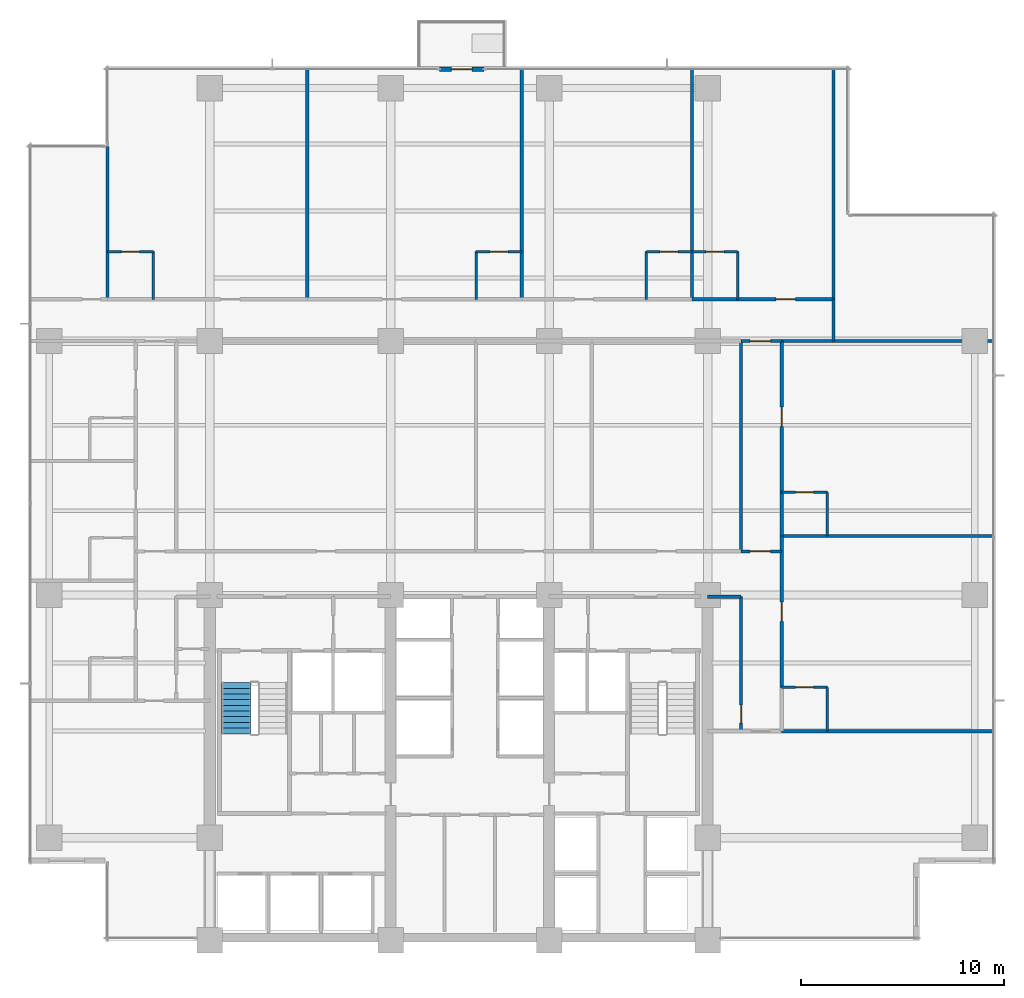
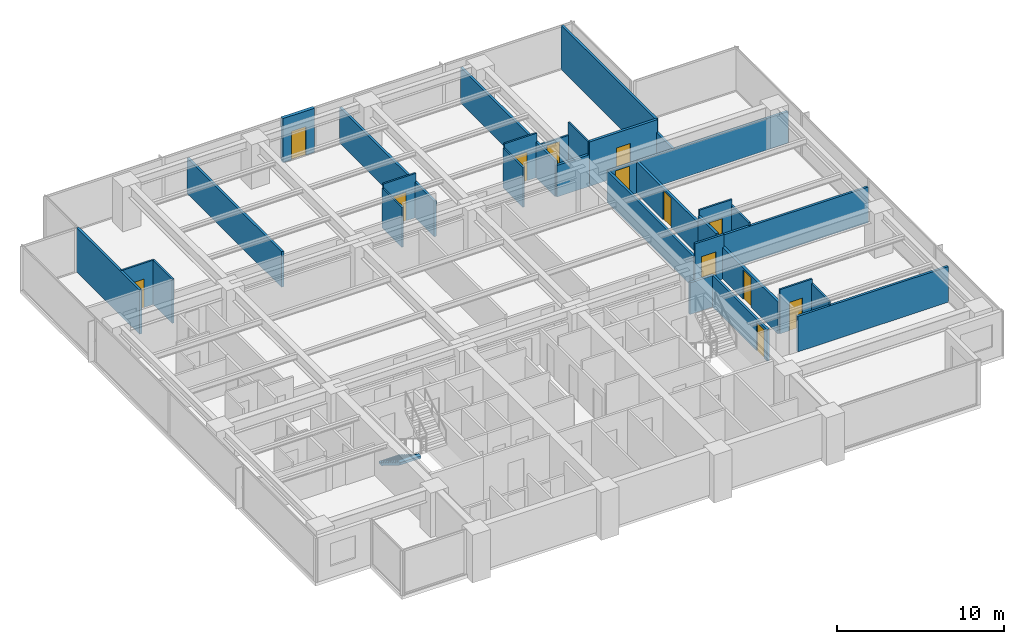
# One storey, part 11 of 17: 32 walls, 13 doors, 1 stair flight, 13 openings, 1 element without a shape of its own.
"""IFC4 building model written with IfcOpenShell, lengths in metres."""

import ifcopenshell
import ifcopenshell.guid

model = None  # the IFC model being written
_history = None  # IfcOwnerHistory: only IFC2X3 demands one
_inside = {}  # id of a spatial element -> (the spatial element, [elements in it])
_under = {}  # id of a project, library or spatial element -> (it, [spatial elements below it])
_declared = {}  # id of a project -> (the project, [libraries it declares])
_typed = {}  # id of a type object -> (the type object, [elements of that type])
_made_of = {}  # id of a material, layer set ... -> (it, [elements and type objects made of it])


def new_model(schema):
    """Start an empty IFC model of exactly this schema.

    Asked for "IFC4X3", IfcOpenShell would pick the latest addendum, in which some entities
    have other attributes; the version numbers below select the first issue.
    IFC2X3 requires an IfcOwnerHistory on every rooted entity: one is made here for all.
    """
    global model, _history
    if schema == "IFC4X3":
        model = ifcopenshell.file(schema_version=(4, 3, 0, 0))
    else:
        model = ifcopenshell.file(schema=schema)
    _inside.clear()
    _under.clear()
    _declared.clear()
    _typed.clear()
    _made_of.clear()
    _history = None
    if model.schema == "IFC2X3":
        org = make("IfcOrganization", Name="unknown")
        user = make(
            "IfcPersonAndOrganization",
            ThePerson=make("IfcPerson", FamilyName="unknown"),
            TheOrganization=org,
        )
        app = make(
            "IfcApplication",
            ApplicationDeveloper=org,
            Version="unknown",
            ApplicationFullName="unknown",
            ApplicationIdentifier="unknown",
        )
        _history = make(
            "IfcOwnerHistory",
            OwningUser=user,
            OwningApplication=app,
            ChangeAction="ADDED",
            CreationDate=0,
        )
    return model


def make(cls, **values):
    """One entity of the class cls with the attributes given. An attribute that is None is left unset."""
    return model.create_entity(
        cls, **{name: value for name, value in values.items() if value is not None}
    )


def rooted(cls, **values):
    """An entity with a GlobalId (a new one), such as an element, a storey or a relation."""
    return make(cls, GlobalId=ifcopenshell.guid.new(), OwnerHistory=_history, **values)


def si_unit(unit_type, name, prefix=None):
    """IfcSIUnit, for example si_unit("LENGTHUNIT", "METRE", prefix="MILLI")."""
    return make("IfcSIUnit", UnitType=unit_type, Prefix=prefix, Name=name)


def assignment(units):
    """IfcUnitAssignment: the units of a project."""
    return None if units is None else make("IfcUnitAssignment", Units=units)


def point(xyz):
    """IfcCartesianPoint."""
    return None if xyz is None else make("IfcCartesianPoint", Coordinates=xyz)


def direction(xyz):
    """IfcDirection."""
    return None if xyz is None else make("IfcDirection", DirectionRatios=xyz)


def frame(location, z_axis=None, x_axis=None):
    """IfcAxis2Placement3D, a coordinate frame: its origin and axes. An axis left out is left unset."""
    return make(
        "IfcAxis2Placement3D",
        Location=point(location),
        Axis=direction(z_axis),
        RefDirection=direction(x_axis),
    )


def frame_2d(location, x_axis=None):
    """IfcAxis2Placement2D, a coordinate frame in the plane: its origin and x axis."""
    return make(
        "IfcAxis2Placement2D", Location=point(location), RefDirection=direction(x_axis)
    )


def origin():
    """The frame at (0, 0, 0) with its axes left unset."""
    return frame((0.0, 0.0, 0.0))


def place(relative_to, where):
    """IfcLocalPlacement: puts the frame where relative to a parent placement (None: the world)."""
    return make(
        "IfcLocalPlacement", PlacementRelTo=relative_to, RelativePlacement=where
    )


def context(
    kind, dimensions, precision=None, world=None, true_north=None, identifier=None
):
    """IfcGeometricRepresentationContext, for example the 3D "Model" context."""
    return make(
        "IfcGeometricRepresentationContext",
        ContextIdentifier=identifier,
        ContextType=kind,
        CoordinateSpaceDimension=dimensions,
        Precision=precision,
        WorldCoordinateSystem=world,
        TrueNorth=true_north,
    )


def subcontext(parent, identifier, kind, view, scale=None):
    """IfcGeometricRepresentationSubContext, for example "Body" below "Model"."""
    return make(
        "IfcGeometricRepresentationSubContext",
        ContextIdentifier=identifier,
        ContextType=kind,
        ParentContext=parent,
        TargetScale=scale,
        TargetView=view,
    )


def project(units=None, contexts=None):
    """IfcProject with its units and contexts."""
    return rooted(
        "IfcProject",
        Name="project",
        RepresentationContexts=contexts,
        UnitsInContext=assignment(units),
    )


def spatial(cls, under=None, at=None, **own):
    """A site, building, storey or space (cls), placed at a placement, below another one or the project."""
    s = rooted(cls, ObjectPlacement=at, **own)
    if under is not None:
        _under.setdefault(under.id(), (under, []))[1].append(s)
    return s


def polyline(points):
    """IfcPolyline through the points."""
    return make("IfcPolyline", Points=[point(p) for p in points])


def profile(cls, at=None, kind="AREA", **sizes):
    """A parametric profile (cls). Its sizes go by their IFC names, for example OverallWidth=200.0."""
    return make(cls, ProfileType=kind, Position=at, **sizes)


def rectangle(**sizes):
    """IfcRectangleProfileDef."""
    return profile("IfcRectangleProfileDef", **sizes)


def outline(outer, holes=None, kind="AREA"):
    """IfcArbitraryClosedProfileDef: a profile drawn as a closed curve; with holes, ...WithVoids."""
    if holes is None:
        return make("IfcArbitraryClosedProfileDef", ProfileType=kind, OuterCurve=outer)
    return make(
        "IfcArbitraryProfileDefWithVoids",
        ProfileType=kind,
        OuterCurve=outer,
        InnerCurves=holes,
    )


def extrude(swept, where, along, depth):
    """IfcExtrudedAreaSolid: the profile swept, set in the frame where, extruded along a direction by depth."""
    return make(
        "IfcExtrudedAreaSolid",
        SweptArea=swept,
        Position=where,
        ExtrudedDirection=direction(along),
        Depth=depth,
    )


def shape(context_of_items, identifier, shape_type, items):
    """IfcShapeRepresentation: the items that make up one representation, for example the "Body"."""
    return make(
        "IfcShapeRepresentation",
        ContextOfItems=context_of_items,
        RepresentationIdentifier=identifier,
        RepresentationType=shape_type,
        Items=items,
    )


def material(Name=None, Category=None):
    """IfcMaterial."""
    return make("IfcMaterial", Name=Name, Category=Category)


def layer(
    of_material, thickness, ventilated=None, Name=None, Category=None, Priority=None
):
    """IfcMaterialLayer: one layer of a wall or slab, of a material (None: an air gap)."""
    return make(
        "IfcMaterialLayer",
        Material=of_material,
        LayerThickness=thickness,
        IsVentilated=ventilated,
        Name=Name,
        Category=Category,
        Priority=Priority,
    )


def layer_set(layers, Name=None):
    """IfcMaterialLayerSet."""
    return make("IfcMaterialLayerSet", MaterialLayers=layers, LayerSetName=Name)


def made_of(thing, what):
    """Note that an element or type object is made of a material, layer set ...; save() writes the relation."""
    if what is not None:
        _made_of.setdefault(what.id(), (what, []))[1].append(thing)
    return thing


def type_object(cls, material=None, **own):
    """A type object (cls), such as IfcWallType, which elements share."""
    return made_of(rooted(cls, **own), material)


def element(
    cls,
    number,
    at=None,
    inside=None,
    cuts=None,
    type_object=None,
    material=None,
    context=None,
    identifier="Body",
    shape_type=None,
    held_by="IfcProductDefinitionShape",
    body=None,
    shapes=None,
    **own,
):
    """One element of the class cls, such as IfcWall. Its Tag is "e" and its number.

    at: its placement. inside: the storey or other place that contains it. cuts: it is an
    opening in that element (IfcRelVoidsElement). A single representation is given by context,
    identifier, shape_type and body (its items); several are given by shapes. held_by: the class
    of the entity that holds the representations. save() writes the other relations.
    """
    e = rooted(cls, Tag="e%d" % number, ObjectPlacement=at, **own)
    if body is not None:
        shapes = [shape(context, identifier, shape_type, body)]
    if shapes is not None:
        e.Representation = make(held_by, Representations=shapes)
    if inside is not None:
        _inside.setdefault(inside.id(), (inside, []))[1].append(e)
    if cuts is not None:
        rooted(
            "IfcRelVoidsElement", RelatingBuildingElement=cuts, RelatedOpeningElement=e
        )
    if type_object is not None:
        _typed.setdefault(type_object.id(), (type_object, []))[1].append(e)
    return made_of(e, material)


def fill(opening, filler):
    """IfcRelFillsElement: the door or window that sits in an opening."""
    return rooted(
        "IfcRelFillsElement",
        RelatingOpeningElement=opening,
        RelatedBuildingElement=filler,
    )


def aggregate(whole, parts):
    """IfcRelAggregates: a whole, such as a stair, and the parts it consists of."""
    return rooted("IfcRelAggregates", RelatingObject=whole, RelatedObjects=parts)


def save(model, path):
    """Write the relations noted so far, then the file.

    IfcRelAggregates (storeys below a building ...), IfcRelContainedInSpatialStructure (elements
    in a storey), IfcRelDefinesByType, IfcRelAssociatesMaterial and IfcRelDeclares: one each for
    every whole, place, type object, material and project.
    """
    for whole, parts in _under.values():
        aggregate(whole, parts)
    for where, things in _inside.values():
        rooted(
            "IfcRelContainedInSpatialStructure",
            RelatedElements=things,
            RelatingStructure=where,
        )
    for kind, things in _typed.values():
        rooted("IfcRelDefinesByType", RelatedObjects=things, RelatingType=kind)
    for what, things in _made_of.values():
        rooted("IfcRelAssociatesMaterial", RelatedObjects=things, RelatingMaterial=what)
    for by, libraries in _declared.values():
        rooted("IfcRelDeclares", RelatingContext=by, RelatedDefinitions=libraries)
    model.write(path)


model = new_model("IFC4")

# Units and contexts
model_context = context("Model", 3, precision=1e-05, world=origin(), true_north=direction((0.0, 1.0)))
body_context = subcontext(model_context, "Body", "Model", "MODEL_VIEW")
ifc_project = project(units=[si_unit("LENGTHUNIT", "METRE"), si_unit("AREAUNIT", "SQUARE_METRE"), si_unit("VOLUMEUNIT", "CUBIC_METRE"), si_unit("PLANEANGLEUNIT", "RADIAN"), si_unit("MASSUNIT", "GRAM", prefix="KILO")], contexts=[model_context])

# Site, building, storey
site_placement = place(None, origin())
site = spatial("IfcSite", under=ifc_project, at=site_placement, CompositionType="ELEMENT")
building_placement = place(site_placement, origin())
building = spatial("IfcBuilding", under=site, at=building_placement, Name="Qalmaran Belvedere Hotel", CompositionType="ELEMENT")
storey_placement = place(building_placement, frame((0.0, 0.0, 98.699951171875)))
storey = spatial("IfcBuildingStorey", under=building, at=storey_placement, Name="L24", CompositionType="ELEMENT", Elevation=98.699951171875)

# Wall, opening, door
ifc_material_1 = material(Name="Anodised Bronze Cladding")
ifc_layer_1 = layer(ifc_material_1, 0.22509765625, Name="Anodised Bronze Cladding")
ifc_layer_set_1 = layer_set([ifc_layer_1], Name="Anodised Bronze Cladding")
wall_type_1 = type_object("IfcWallType", Name="WL-BAL-PORT-225", PredefinedType="SOLIDWALL", material=ifc_layer_set_1)
wall_1_placement = place(storey_placement, frame((31.60009765625, 46.3798828125, 0.0), z_axis=(0.0, 0.0, 1.0), x_axis=(1.0, 0.0, 0.0)))
wall_1 = element("IfcWall", 1, at=wall_1_placement, inside=storey, type_object=wall_type_1, Name="L24 Tree Balcony Door Portal", PredefinedType="SOLIDWALL", context=body_context, shape_type="SweptSolid", body=[
    extrude(rectangle(XDim=2.199951171875, YDim=0.22509765625, at=frame_2d((1.10009765625, 0.0))), origin(), (0.0, 0.0, 1.0), 3.239990234375),
])
opening_1_placement = place(wall_1_placement, frame((0.590087890625, 0.0, 0.0)))
opening_1 = element("IfcOpeningElement", 2, at=opening_1_placement, cuts=wall_1, Name="Opening BL-102", PredefinedType="OPENING", context=body_context, shape_type="SweptSolid", body=[
    extrude(rectangle(XDim=1.02001953125, YDim=2.10009765625, at=frame_2d((0.510009765625, 1.050048828125))), frame((0.0, 0.12255859375, 0.0), z_axis=(0.0, -1.0, 0.0), x_axis=(1.0, 0.0, 0.0)), (0.0, 0.0, 1.0), 0.2451171875),
])
ifc_material_2 = material(Name="Anodised Bronze Aluminium", Category="aluminium")
door_type_1 = type_object("IfcDoorType", Name="DR-BAL-1020X2100", OperationType="NOTDEFINED", PredefinedType="DOOR", material=ifc_material_2)
door_1_placement = place(opening_1_placement, origin())
door_1 = element("IfcDoor", 3, at=door_1_placement, inside=storey, type_object=door_type_1, Name="L24 Planted Tree Balcony Door", OperationType="SINGLE_SWING_LEFT", OverallHeight=2.10009765625, OverallWidth=1.02001953125, PredefinedType="DOOR", context=body_context, shape_type="SweptSolid", body=[
    extrude(rectangle(XDim=1.02001953125, YDim=2.10009765625, at=frame_2d((0.510009765625, 1.050048828125))), frame((0.0, 0.02490234375, 0.0), z_axis=(0.0, -1.0, 0.0), x_axis=(1.0, 0.0, 0.0)), (0.0, 0.0, 1.0), 0.050048828125),
])
fill(opening_1, door_1)

ifc_material_3 = material(Name="Moisture-Resistant Gypsum")
ifc_layer_2 = layer(ifc_material_3, 0.1201171875, Name="Moisture-Resistant Gypsum")
ifc_layer_set_2 = layer_set([ifc_layer_2], Name="Moisture-Resistant Gypsum")
wall_type_2 = type_object("IfcWallType", Name="WL-INT-120-BATH", PredefinedType="PARTITIONING", material=ifc_layer_set_2)
wall_2_placement = place(storey_placement, frame((15.27001953125, 37.39990234375, 0.0), z_axis=(0.0, 0.0, 1.0), x_axis=(1.0, 0.0, 0.0)))
wall_2 = element("IfcWall", 4, at=wall_2_placement, inside=storey, type_object=wall_type_2, Name="L24 Partition WL-L24-NBN00", PredefinedType="PARTITIONING", context=body_context, shape_type="SweptSolid", body=[
    extrude(rectangle(XDim=2.25, YDim=0.1201171875, at=frame_2d((1.125, 0.0))), origin(), (0.0, 0.0, 1.0), 3.239990234375),
])
opening_2_placement = place(wall_2_placement, frame((1.56494140625, 0.0, 0.0), z_axis=(0.0, 0.0, 1.0), x_axis=(-1.0, 0.0, 0.0)))
opening_2 = element("IfcOpeningElement", 5, at=opening_2_placement, cuts=wall_2, Name="Opening D-BATH", PredefinedType="OPENING", context=body_context, shape_type="SweptSolid", body=[
    extrude(rectangle(XDim=0.8798828125, YDim=2.080078125, at=frame_2d((0.43994140625, 1.0400390625))), frame((0.0, 0.070068359375, 0.0), z_axis=(0.0, -1.0, 0.0), x_axis=(1.0, 0.0, 0.0)), (0.0, 0.0, 1.0), 0.14013671875),
])
ifc_material_4 = material(Name="Engineered Oak Veneer")
door_type_2 = type_object("IfcDoorType", Name="DR-INT-BATH-880X2080", OperationType="NOTDEFINED", PredefinedType="DOOR", material=ifc_material_4)
door_2_placement = place(opening_2_placement, origin())
door_2 = element("IfcDoor", 6, at=door_2_placement, inside=storey, type_object=door_type_2, Name="L24 Ensuite Bathroom Door N01", OperationType="SINGLE_SWING_RIGHT", OverallHeight=2.080078125, OverallWidth=0.8798828125, PredefinedType="DOOR", context=body_context, shape_type="SweptSolid", body=[
    extrude(rectangle(XDim=0.8798828125, YDim=2.080078125, at=frame_2d((0.43994140625, 1.0400390625))), frame((0.0, 0.02490234375, 0.0), z_axis=(0.0, -1.0, 0.0), x_axis=(1.0, 0.0, 0.0)), (0.0, 0.0, 1.0), 0.050048828125),
])
fill(opening_2, door_2)

# Wall
wall_3_placement = place(storey_placement, frame((17.52001953125, 35.050048828125, 0.0), z_axis=(0.0, 0.0, 1.0), x_axis=(0.0, 1.0, 0.0)))
element("IfcWall", 7, at=wall_3_placement, inside=storey, type_object=wall_type_2, Name="L24 Partition WL-L24-NBS00", PredefinedType="PARTITIONING", context=body_context, shape_type="SweptSolid", body=[
    extrude(rectangle(XDim=2.349853515625, YDim=0.1201171875, at=frame_2d((1.1748046875, 0.0))), origin(), (0.0, 0.0, 1.0), 3.239990234375),
])

# Wall, opening, door
wall_4_placement = place(storey_placement, frame((33.40966796875, 37.39990234375, 0.0), z_axis=(0.0, 0.0, 1.0), x_axis=(1.0, 0.0, 0.0)))
wall_4 = element("IfcWall", 8, at=wall_4_placement, inside=storey, type_object=wall_type_2, Name="L24 Partition WL-L24-NBN01", PredefinedType="PARTITIONING", context=body_context, shape_type="SweptSolid", body=[
    extrude(rectangle(XDim=2.25, YDim=0.1201171875, at=frame_2d((1.125, 0.0))), origin(), (0.0, 0.0, 1.0), 3.239990234375),
])
opening_3_placement = place(wall_4_placement, frame((1.56494140625, 0.0, 0.0), z_axis=(0.0, 0.0, 1.0), x_axis=(-1.0, 0.0, 0.0)))
opening_3 = element("IfcOpeningElement", 9, at=opening_3_placement, cuts=wall_4, Name="Opening D-BATH", PredefinedType="OPENING", context=body_context, shape_type="SweptSolid", body=[
    extrude(rectangle(XDim=0.8798828125, YDim=2.080078125, at=frame_2d((0.43994140625, 1.0400390625))), frame((0.0, 0.070068359375, 0.0), z_axis=(0.0, -1.0, 0.0), x_axis=(1.0, 0.0, 0.0)), (0.0, 0.0, 1.0), 0.14013671875),
])
door_3_placement = place(opening_3_placement, origin())
door_3 = element("IfcDoor", 10, at=door_3_placement, inside=storey, type_object=door_type_2, Name="L24 Ensuite Bathroom Door N02", OperationType="SINGLE_SWING_RIGHT", OverallHeight=2.080078125, OverallWidth=0.8798828125, PredefinedType="DOOR", context=body_context, shape_type="SweptSolid", body=[
    extrude(rectangle(XDim=0.8798828125, YDim=2.080078125, at=frame_2d((0.43994140625, 1.0400390625))), frame((0.0, 0.02490234375, 0.0), z_axis=(0.0, -1.0, 0.0), x_axis=(1.0, 0.0, 0.0)), (0.0, 0.0, 1.0), 0.050048828125),
])
fill(opening_3, door_3)

# Wall
wall_5_placement = place(storey_placement, frame((33.40966796875, 35.050048828125, 0.0), z_axis=(0.0, 0.0, 1.0), x_axis=(0.0, 1.0, 0.0)))
element("IfcWall", 11, at=wall_5_placement, inside=storey, type_object=wall_type_2, Name="L24 Partition WL-L24-NBS01", PredefinedType="PARTITIONING", context=body_context, shape_type="SweptSolid", body=[
    extrude(rectangle(XDim=2.349853515625, YDim=0.1201171875, at=frame_2d((1.1748046875, 0.0))), origin(), (0.0, 0.0, 1.0), 2.922119140625),
])

# Wall, opening, door
wall_6_placement = place(storey_placement, frame((41.783935546875, 37.39990234375, 0.0), z_axis=(0.0, 0.0, 1.0), x_axis=(1.0, 0.0, 0.0)))
wall_6 = element("IfcWall", 12, at=wall_6_placement, inside=storey, type_object=wall_type_2, Name="L24 Partition WL-L24-NBN02", PredefinedType="PARTITIONING", context=body_context, shape_type="SweptSolid", body=[
    extrude(rectangle(XDim=2.25, YDim=0.1201171875, at=frame_2d((1.125, 0.0))), origin(), (0.0, 0.0, 1.0), 3.239990234375),
])
opening_4_placement = place(wall_6_placement, frame((1.56494140625, 0.0, 0.0), z_axis=(0.0, 0.0, 1.0), x_axis=(-1.0, 0.0, 0.0)))
opening_4 = element("IfcOpeningElement", 13, at=opening_4_placement, cuts=wall_6, Name="Opening D-BATH", PredefinedType="OPENING", context=body_context, shape_type="SweptSolid", body=[
    extrude(rectangle(XDim=0.8798828125, YDim=2.080078125, at=frame_2d((0.43994140625, 1.0400390625))), frame((0.0, 0.070068359375, 0.0), z_axis=(0.0, -1.0, 0.0), x_axis=(1.0, 0.0, 0.0)), (0.0, 0.0, 1.0), 0.14013671875),
])
door_4_placement = place(opening_4_placement, origin())
door_4 = element("IfcDoor", 14, at=door_4_placement, inside=storey, type_object=door_type_2, Name="L24 Ensuite Bathroom Door N03", OperationType="SINGLE_SWING_RIGHT", OverallHeight=2.080078125, OverallWidth=0.8798828125, PredefinedType="DOOR", context=body_context, shape_type="SweptSolid", body=[
    extrude(rectangle(XDim=0.8798828125, YDim=2.080078125, at=frame_2d((0.43994140625, 1.0400390625))), frame((0.0, 0.02490234375, 0.0), z_axis=(0.0, -1.0, 0.0), x_axis=(1.0, 0.0, 0.0)), (0.0, 0.0, 1.0), 0.050048828125),
])
fill(opening_4, door_4)

# Wall
wall_7_placement = place(storey_placement, frame((41.783935546875, 35.050048828125, 0.0), z_axis=(0.0, 0.0, 1.0), x_axis=(0.0, 1.0, 0.0)))
element("IfcWall", 15, at=wall_7_placement, inside=storey, type_object=wall_type_2, Name="L24 Partition WL-L24-NBS02", PredefinedType="PARTITIONING", context=body_context, shape_type="SweptSolid", body=[
    extrude(rectangle(XDim=2.349853515625, YDim=0.1201171875, at=frame_2d((1.1748046875, 0.0))), origin(), (0.0, 0.0, 1.0), 2.922119140625),
])

# Wall, opening, door
wall_8_placement = place(storey_placement, frame((44.033935546875, 37.39990234375, 0.0), z_axis=(0.0, 0.0, 1.0), x_axis=(1.0, 0.0, 0.0)))
wall_8 = element("IfcWall", 16, at=wall_8_placement, inside=storey, type_object=wall_type_2, Name="L24 Partition WL-L24-NBN03", PredefinedType="PARTITIONING", context=body_context, shape_type="SweptSolid", body=[
    extrude(rectangle(XDim=2.25, YDim=0.1201171875, at=frame_2d((1.125, 0.0))), origin(), (0.0, 0.0, 1.0), 2.31298828125),
])
opening_5_placement = place(wall_8_placement, frame((1.56494140625, 0.0, 0.0), z_axis=(0.0, 0.0, 1.0), x_axis=(-1.0, 0.0, 0.0)))
opening_5 = element("IfcOpeningElement", 17, at=opening_5_placement, cuts=wall_8, Name="Opening D-BATH", PredefinedType="OPENING", context=body_context, shape_type="SweptSolid", body=[
    extrude(rectangle(XDim=0.8798828125, YDim=2.080078125, at=frame_2d((0.43994140625, 1.0400390625))), frame((0.0, 0.070068359375, 0.0), z_axis=(0.0, -1.0, 0.0), x_axis=(1.0, 0.0, 0.0)), (0.0, 0.0, 1.0), 0.14013671875),
])
door_5_placement = place(opening_5_placement, origin())
door_5 = element("IfcDoor", 18, at=door_5_placement, inside=storey, type_object=door_type_2, Name="L24 Ensuite Bathroom Door N04", OperationType="SINGLE_SWING_RIGHT", OverallHeight=2.080078125, OverallWidth=0.8798828125, PredefinedType="DOOR", context=body_context, shape_type="SweptSolid", body=[
    extrude(rectangle(XDim=0.8798828125, YDim=2.080078125, at=frame_2d((0.43994140625, 1.0400390625))), frame((0.0, 0.02490234375, 0.0), z_axis=(0.0, -1.0, 0.0), x_axis=(1.0, 0.0, 0.0)), (0.0, 0.0, 1.0), 0.050048828125),
])
fill(opening_5, door_5)

# Wall
wall_9_placement = place(storey_placement, frame((46.283935546875, 35.050048828125, 0.0), z_axis=(0.0, 0.0, 1.0), x_axis=(0.0, 1.0, 0.0)))
element("IfcWall", 19, at=wall_9_placement, inside=storey, type_object=wall_type_2, Name="L24 Partition WL-L24-NBS03", PredefinedType="PARTITIONING", context=body_context, shape_type="SweptSolid", body=[
    extrude(rectangle(XDim=2.349853515625, YDim=0.1201171875, at=frame_2d((1.1748046875, 0.0))), origin(), (0.0, 0.0, 1.0), 3.239990234375),
])

# Wall, opening, door
wall_10_placement = place(storey_placement, frame((48.449951171875, 15.949951171875, 0.0), z_axis=(0.0, 0.0, 1.0), x_axis=(1.0, 0.0, 0.0)))
wall_10 = element("IfcWall", 20, at=wall_10_placement, inside=storey, type_object=wall_type_2, Name="L24 Partition WL-L24-EBN00", PredefinedType="PARTITIONING", context=body_context, shape_type="SweptSolid", body=[
    extrude(rectangle(XDim=2.25, YDim=0.1201171875, at=frame_2d((1.125, 0.0))), origin(), (0.0, 0.0, 1.0), 3.239990234375),
])
opening_6_placement = place(wall_10_placement, frame((1.56494140625, 0.0, 0.0), z_axis=(0.0, 0.0, 1.0), x_axis=(-1.0, 0.0, 0.0)))
opening_6 = element("IfcOpeningElement", 21, at=opening_6_placement, cuts=wall_10, Name="Opening D-BATH", PredefinedType="OPENING", context=body_context, shape_type="SweptSolid", body=[
    extrude(rectangle(XDim=0.8798828125, YDim=2.080078125, at=frame_2d((0.43994140625, 1.0400390625))), frame((0.0, 0.070068359375, 0.0), z_axis=(0.0, -1.0, 0.0), x_axis=(1.0, 0.0, 0.0)), (0.0, 0.0, 1.0), 0.14013671875),
])
door_6_placement = place(opening_6_placement, origin())
door_6 = element("IfcDoor", 22, at=door_6_placement, inside=storey, type_object=door_type_2, Name="L24 E Ensuite Door 01", OperationType="SINGLE_SWING_RIGHT", OverallHeight=2.080078125, OverallWidth=0.8798828125, PredefinedType="DOOR", context=body_context, shape_type="SweptSolid", body=[
    extrude(rectangle(XDim=0.8798828125, YDim=2.080078125, at=frame_2d((0.43994140625, 1.0400390625))), frame((0.0, 0.02490234375, 0.0), z_axis=(0.0, -1.0, 0.0), x_axis=(1.0, 0.0, 0.0)), (0.0, 0.0, 1.0), 0.050048828125),
])
fill(opening_6, door_6)

# Wall
wall_11_placement = place(storey_placement, frame((50.699951171875, 13.800048828125, 0.0), z_axis=(0.0, 0.0, 1.0), x_axis=(0.0, 1.0, 0.0)))
element("IfcWall", 23, at=wall_11_placement, inside=storey, type_object=wall_type_2, Name="L24 Partition WL-L24-EBS00", PredefinedType="PARTITIONING", context=body_context, shape_type="SweptSolid", body=[
    extrude(rectangle(XDim=2.14990234375, YDim=0.1201171875, at=frame_2d((1.074951171875, 0.0))), origin(), (0.0, 0.0, 1.0), 2.922119140625),
])

# Wall, opening, door
wall_12_placement = place(storey_placement, frame((48.449951171875, 25.550048828125, 0.0), z_axis=(0.0, 0.0, 1.0), x_axis=(1.0, 0.0, 0.0)))
wall_12 = element("IfcWall", 24, at=wall_12_placement, inside=storey, type_object=wall_type_2, Name="L24 Partition WL-L24-EBN01", PredefinedType="PARTITIONING", context=body_context, shape_type="SweptSolid", body=[
    extrude(rectangle(XDim=2.25, YDim=0.1201171875, at=frame_2d((1.125, 0.0))), origin(), (0.0, 0.0, 1.0), 3.239990234375),
])
opening_7_placement = place(wall_12_placement, frame((1.56494140625, 0.0, 0.0), z_axis=(0.0, 0.0, 1.0), x_axis=(-1.0, 0.0, 0.0)))
opening_7 = element("IfcOpeningElement", 25, at=opening_7_placement, cuts=wall_12, Name="Opening D-BATH", PredefinedType="OPENING", context=body_context, shape_type="SweptSolid", body=[
    extrude(rectangle(XDim=0.8798828125, YDim=2.080078125, at=frame_2d((0.43994140625, 1.0400390625))), frame((0.0, 0.070068359375, 0.0), z_axis=(0.0, -1.0, 0.0), x_axis=(1.0, 0.0, 0.0)), (0.0, 0.0, 1.0), 0.14013671875),
])
door_7_placement = place(opening_7_placement, origin())
door_7 = element("IfcDoor", 26, at=door_7_placement, inside=storey, type_object=door_type_2, Name="L24 E Ensuite Door 02", OperationType="SINGLE_SWING_RIGHT", OverallHeight=2.080078125, OverallWidth=0.8798828125, PredefinedType="DOOR", context=body_context, shape_type="SweptSolid", body=[
    extrude(rectangle(XDim=0.8798828125, YDim=2.080078125, at=frame_2d((0.43994140625, 1.0400390625))), frame((0.0, 0.02490234375, 0.0), z_axis=(0.0, -1.0, 0.0), x_axis=(1.0, 0.0, 0.0)), (0.0, 0.0, 1.0), 0.050048828125),
])
fill(opening_7, door_7)

# Wall
wall_13_placement = place(storey_placement, frame((50.699951171875, 23.39990234375, 0.0), z_axis=(0.0, 0.0, 1.0), x_axis=(0.0, 1.0, 0.0)))
element("IfcWall", 27, at=wall_13_placement, inside=storey, type_object=wall_type_2, Name="L24 Partition WL-L24-EBS01", PredefinedType="PARTITIONING", context=body_context, shape_type="SweptSolid", body=[
    extrude(rectangle(XDim=2.150146484375, YDim=0.1201171875, at=frame_2d((1.0751953125, 0.0))), origin(), (0.0, 0.0, 1.0), 2.818115234375),
])

# Wall, opening, door
ifc_material_5 = material(Name="Gypsum Stud Partition")
ifc_layer_3 = layer(ifc_material_5, 0.14990234375, Name="Gypsum Stud Partition")
ifc_layer_set_3 = layer_set([ifc_layer_3], Name="Gypsum Stud Partition")
wall_type_3 = type_object("IfcWallType", Name="WL-INT-150-EI60", PredefinedType="PARTITIONING", material=ifc_layer_set_3)
wall_14_placement = place(storey_placement, frame((46.449951171875, 22.64990234375, 0.0), z_axis=(0.0, 0.0, 1.0), x_axis=(1.0, 0.0, 0.0)))
wall_14 = element("IfcWall", 28, at=wall_14_placement, inside=storey, type_object=wall_type_3, Name="L24 Partition WL-L24-XCE1", PredefinedType="PARTITIONING", context=body_context, shape_type="SweptSolid", body=[
    extrude(rectangle(XDim=2.0, YDim=0.14990234375, at=frame_2d((1.0, 0.0))), origin(), (0.0, 0.0, 1.0), 3.239990234375),
])
opening_8_placement = place(wall_14_placement, frame((0.449951171875, 0.0, 0.0)))
opening_8 = element("IfcOpeningElement", 29, at=opening_8_placement, cuts=wall_14, Name="Opening FD90B", PredefinedType="OPENING", context=body_context, shape_type="SweptSolid", body=[
    extrude(rectangle(XDim=1.0, YDim=2.14990234375, at=frame_2d((0.5, 1.074951171875))), frame((0.0, 0.0849609375, 0.0), z_axis=(0.0, -1.0, 0.0), x_axis=(1.0, 0.0, 0.0)), (0.0, 0.0, 1.0), 0.169921875),
])
ifc_material_6 = material(Name="Steel S355JR", Category="steel")
door_type_3 = type_object("IfcDoorType", Name="DR-FD90B-1000X2150", OperationType="NOTDEFINED", PredefinedType="DOOR", material=ifc_material_6)
door_8_placement = place(opening_8_placement, origin())
door_8 = element("IfcDoor", 30, at=door_8_placement, inside=storey, type_object=door_type_3, Name="L24 East Corridor Smoke Door S", OperationType="SINGLE_SWING_LEFT", OverallHeight=2.14990234375, OverallWidth=1.0, PredefinedType="DOOR", context=body_context, shape_type="SweptSolid", body=[
    extrude(rectangle(XDim=1.0, YDim=2.14990234375, at=frame_2d((0.5, 1.074951171875))), frame((0.0, 0.02490234375, 0.0), z_axis=(0.0, -1.0, 0.0), x_axis=(1.0, 0.0, 0.0)), (0.0, 0.0, 1.0), 0.050048828125),
])
fill(opening_8, door_8)

wall_15_placement = place(storey_placement, frame((46.449951171875, 33.0, 0.0), z_axis=(0.0, 0.0, 1.0), x_axis=(1.0, 0.0, 0.0)))
wall_15 = element("IfcWall", 31, at=wall_15_placement, inside=storey, type_object=wall_type_3, Name="L24 Partition WL-L24-XCE2", PredefinedType="PARTITIONING", context=body_context, shape_type="SweptSolid", body=[
    extrude(rectangle(XDim=2.0, YDim=0.14990234375, at=frame_2d((1.0, 0.0))), origin(), (0.0, 0.0, 1.0), 2.31298828125),
])
opening_9_placement = place(wall_15_placement, frame((0.449951171875, 0.0, 0.0)))
opening_9 = element("IfcOpeningElement", 32, at=opening_9_placement, cuts=wall_15, Name="Opening FD90B", PredefinedType="OPENING", context=body_context, shape_type="SweptSolid", body=[
    extrude(rectangle(XDim=1.0, YDim=2.14990234375, at=frame_2d((0.5, 1.074951171875))), frame((0.0, 0.0849609375, 0.0), z_axis=(0.0, -1.0, 0.0), x_axis=(1.0, 0.0, 0.0)), (0.0, 0.0, 1.0), 0.169921875),
])
door_9_placement = place(opening_9_placement, origin())
door_9 = element("IfcDoor", 33, at=door_9_placement, inside=storey, type_object=door_type_3, Name="L24 East Corridor Smoke Door N", OperationType="SINGLE_SWING_RIGHT", OverallHeight=2.14990234375, OverallWidth=1.0, PredefinedType="DOOR", context=body_context, shape_type="SweptSolid", body=[
    extrude(rectangle(XDim=1.0, YDim=2.14990234375, at=frame_2d((0.5, 1.074951171875))), frame((0.0, 0.02490234375, 0.0), z_axis=(0.0, -1.0, 0.0), x_axis=(1.0, 0.0, 0.0)), (0.0, 0.0, 1.0), 0.050048828125),
])
fill(opening_9, door_9)

ifc_layer_4 = layer(ifc_material_5, 0.159912109375, Name="Gypsum Stud Partition")
ifc_layer_set_4 = layer_set([ifc_layer_4], Name="Gypsum Stud Partition")
wall_type_4 = type_object("IfcWallType", Name="WL-INT-160-EI60", PredefinedType="PARTITIONING", material=ifc_layer_set_4)
wall_16_placement = place(storey_placement, frame((46.449951171875, 13.800048828125, 0.0), z_axis=(0.0, 0.0, 1.0), x_axis=(0.0, 1.0, 0.0)))
wall_16 = element("IfcWall", 34, at=wall_16_placement, inside=storey, type_object=wall_type_4, Name="L24 Partition WL-L24-ECL", PredefinedType="PARTITIONING", context=body_context, shape_type="SweptSolid", body=[
    extrude(rectangle(XDim=6.619873046875, YDim=0.159912109375, at=frame_2d((3.31005859375, 0.0))), origin(), (0.0, 0.0, 1.0), 2.31298828125),
])
opening_10_placement = place(wall_16_placement, frame((0.39990234375, 0.0, 0.0)))
opening_10 = element("IfcOpeningElement", 35, at=opening_10_placement, cuts=wall_16, Name="Opening FD60B", PredefinedType="OPENING", context=body_context, shape_type="SweptSolid", body=[
    extrude(rectangle(XDim=0.8798828125, YDim=2.080078125, at=frame_2d((0.43994140625, 1.0400390625))), frame((0.0, 0.08984375, 0.0), z_axis=(0.0, -1.0, 0.0), x_axis=(1.0, 0.0, 0.0)), (0.0, 0.0, 1.0), 0.179931640625),
])
door_type_4 = type_object("IfcDoorType", Name="DR-FD60B-880X2080", OperationType="NOTDEFINED", PredefinedType="DOOR", material=ifc_material_6)
door_10_placement = place(opening_10_placement, origin())
door_10 = element("IfcDoor", 36, at=door_10_placement, inside=storey, type_object=door_type_4, Name="L24 East Closet Door", OperationType="SINGLE_SWING_RIGHT", OverallHeight=2.080078125, OverallWidth=0.8798828125, PredefinedType="DOOR", context=body_context, shape_type="SweptSolid", body=[
    extrude(rectangle(XDim=0.8798828125, YDim=2.080078125, at=frame_2d((0.43994140625, 1.0400390625))), frame((0.0, 0.02490234375, 0.0), z_axis=(0.0, -1.0, 0.0), x_axis=(1.0, 0.0, 0.0)), (0.0, 0.0, 1.0), 0.050048828125),
])
fill(opening_10, door_10)

# Walls
wall_17_placement = place(storey_placement, frame((44.800048828125, 20.419921875, 0.0), z_axis=(0.0, 0.0, 1.0), x_axis=(1.0, 0.0, 0.0)))
element("IfcWall", 37, at=wall_17_placement, inside=storey, type_object=wall_type_4, Name="L24 Partition WL-L24-ECLN", PredefinedType="PARTITIONING", context=body_context, shape_type="SweptSolid", body=[
    extrude(rectangle(XDim=1.64990234375, YDim=0.159912109375, at=frame_2d((0.824951171875, 0.0))), origin(), (0.0, 0.0, 1.0), 2.31298828125),
])
wall_18_placement = place(storey_placement, frame((51.0, 33.0, 0.0), z_axis=(0.0, 0.0, 1.0), x_axis=(0.0, 1.0, 0.0)))
element("IfcWall", 38, at=wall_18_placement, inside=storey, type_object=wall_type_4, Name="L24 Partition WL-L24-NCGE", PredefinedType="PARTITIONING", context=body_context, shape_type="SweptSolid", body=[
    extrude(rectangle(XDim=2.050048828125, YDim=0.159912109375, at=frame_2d((1.02490234375, 0.0))), origin(), (0.0, 0.0, 1.0), 2.31298828125),
])
wall_19_placement = place(storey_placement, frame((46.449951171875, 22.64990234375, 0.0), z_axis=(0.0, 0.0, 1.0), x_axis=(0.0, 1.0, 0.0)))
element("IfcWall", 39, at=wall_19_placement, inside=storey, type_object=wall_type_4, Name="L24 Partition WL-L24-MIDVR3", PredefinedType="PARTITIONING", context=body_context, shape_type="SweptSolid", body=[
    extrude(rectangle(XDim=10.35009765625, YDim=0.159912109375, at=frame_2d((5.175048828125, 0.0))), origin(), (0.0, 0.0, 1.0), 2.31298828125),
])
wall_20_placement = place(storey_placement, frame((15.27001953125, 35.050048828125, 0.0), z_axis=(0.0, 0.0, 1.0), x_axis=(0.0, 1.0, 0.0)))
element("IfcWall", 40, at=wall_20_placement, inside=storey, type_object=wall_type_4, Name="L24 Partition WL-L24-NUL", PredefinedType="PARTITIONING", context=body_context, shape_type="SweptSolid", body=[
    extrude(rectangle(XDim=7.530029296875, YDim=0.159912109375, at=frame_2d((3.76513671875, 0.0))), origin(), (0.0, 0.0, 1.0), 3.239990234375),
])
for number, where, z_axis, x_axis, name in (
    (41, (25.1005859375, 35.050048828125, 0.0), (0.0, 0.0, 1.0), (0.0, 1.0, 0.0), "L24 Partition WL-L24-NUR00"),
    (42, (35.65966796875, 35.050048828125, 0.0), (0.0, 0.0, 1.0), (0.0, 1.0, 0.0), "L24 Partition WL-L24-NUR01"),
    (43, (44.033935546875, 35.050048828125, 0.0), (0.0, 0.0, 1.0), (0.0, 1.0, 0.0), "L24 Partition WL-L24-NUR02"),
):
    element("IfcWall", number, at=place(storey_placement, frame(where, z_axis=z_axis, x_axis=x_axis)), inside=storey, type_object=wall_type_4, Name=name, PredefinedType="PARTITIONING", context=body_context, shape_type="SweptSolid", body=[
        extrude(rectangle(XDim=11.329833984375, YDim=0.159912109375, at=frame_2d((5.6650390625, 0.0))), origin(), (0.0, 0.0, 1.0), 2.60302734375),
    ])
wall_21_placement = place(storey_placement, frame((51.0, 35.050048828125, 0.0), z_axis=(0.0, 0.0, 1.0), x_axis=(0.0, 1.0, 0.0)))
element("IfcWall", 44, at=wall_21_placement, inside=storey, type_object=wall_type_4, Name="L24 Partition WL-L24-NUR03", PredefinedType="PARTITIONING", context=body_context, shape_type="SweptSolid", body=[
    extrude(rectangle(XDim=11.329833984375, YDim=0.159912109375, at=frame_2d((5.6650390625, 0.0))), origin(), (0.0, 0.0, 1.0), 3.239990234375),
])
for number, where, z_axis, x_axis, name in (
    (45, (48.449951171875, 13.800048828125, 0.0), (0.0, 0.0, 1.0), (1.0, 0.0, 0.0), "L24 Partition WL-L24-EBOT"),
    (46, (48.449951171875, 23.39990234375, 0.0), (0.0, 0.0, 1.0), (1.0, 0.0, 0.0), "L24 Partition WL-L24-EU00"),
):
    element("IfcWall", number, at=place(storey_placement, frame(where, z_axis=z_axis, x_axis=x_axis)), inside=storey, type_object=wall_type_4, Name=name, PredefinedType="PARTITIONING", context=body_context, shape_type="SweptSolid", body=[
        extrude(rectangle(XDim=10.429931640625, YDim=0.159912109375, at=frame_2d((5.21484375, 0.0))), origin(), (0.0, 0.0, 1.0), 2.60302734375),
    ])
wall_22_placement = place(storey_placement, frame((48.449951171875, 33.0, 0.0), z_axis=(0.0, 0.0, 1.0), x_axis=(1.0, 0.0, 0.0)))
element("IfcWall", 47, at=wall_22_placement, inside=storey, type_object=wall_type_4, Name="L24 Partition WL-L24-EU01", PredefinedType="PARTITIONING", context=body_context, shape_type="SweptSolid", body=[
    extrude(rectangle(XDim=10.429931640625, YDim=0.159912109375, at=frame_2d((5.21484375, 0.0))), origin(), (0.0, 0.0, 1.0), 2.31298828125),
])
ifc_layer_5 = layer(ifc_material_5, 0.179931640625, Name="Gypsum Stud Partition")
ifc_layer_set_5 = layer_set([ifc_layer_5], Name="Gypsum Stud Partition")
wall_type_5 = type_object("IfcWallType", Name="WL-INT-180-EI60", PredefinedType="PARTITIONING", material=ifc_layer_set_5)
wall_23_placement = place(storey_placement, frame((44.033935546875, 35.050048828125, 0.0), z_axis=(0.0, 0.0, 1.0), x_axis=(1.0, 0.0, 0.0)))
element("IfcWall", 48, at=wall_23_placement, inside=storey, type_object=wall_type_5, Name="L24 Partition WL-L24-NBC03", PredefinedType="PARTITIONING", context=body_context, shape_type="SweptSolid", body=[
    extrude(rectangle(XDim=2.25, YDim=0.179931640625, at=frame_2d((1.125, 0.0))), origin(), (0.0, 0.0, 1.0), 2.31298828125),
])

# Wall, opening, door
wall_24_placement = place(storey_placement, frame((46.283935546875, 35.050048828125, 0.0), z_axis=(0.0, 0.0, 1.0), x_axis=(1.0, 0.0, 0.0)))
wall_24 = element("IfcWall", 49, at=wall_24_placement, inside=storey, type_object=wall_type_5, Name="L24 Partition WL-L24-NEC03", PredefinedType="PARTITIONING", context=body_context, shape_type="SweptSolid", body=[
    extrude(rectangle(XDim=4.716064453125, YDim=0.179931640625, at=frame_2d((2.35791015625, 0.0))), origin(), (0.0, 0.0, 1.0), 3.239990234375),
])
opening_11_placement = place(wall_24_placement, frame((1.883056640625, 0.0, 0.0)))
opening_11 = element("IfcOpeningElement", 50, at=opening_11_placement, cuts=wall_24, Name="Opening FD60", PredefinedType="OPENING", context=body_context, shape_type="SweptSolid", body=[
    extrude(rectangle(XDim=0.949951171875, YDim=2.14990234375, at=frame_2d((0.47509765625, 1.074951171875))), frame((0.0, 0.10009765625, 0.0), z_axis=(0.0, -1.0, 0.0), x_axis=(1.0, 0.0, 0.0)), (0.0, 0.0, 1.0), 0.199951171875),
])
door_type_5 = type_object("IfcDoorType", Name="DR-FD60-950X2150", OperationType="NOTDEFINED", PredefinedType="DOOR", material=ifc_material_4)
door_11_placement = place(opening_11_placement, origin())
door_11 = element("IfcDoor", 51, at=door_11_placement, inside=storey, type_object=door_type_5, Name="L24 Guest Entrance Door N04", OperationType="SINGLE_SWING_LEFT", OverallHeight=2.14990234375, OverallWidth=0.949951171875, PredefinedType="DOOR", context=body_context, shape_type="SweptSolid", body=[
    extrude(rectangle(XDim=0.949951171875, YDim=2.14990234375, at=frame_2d((0.47509765625, 1.074951171875))), frame((0.0, 0.02490234375, 0.0), z_axis=(0.0, -1.0, 0.0), x_axis=(1.0, 0.0, 0.0)), (0.0, 0.0, 1.0), 0.050048828125),
])
fill(opening_11, door_11)

wall_25_placement = place(storey_placement, frame((48.449951171875, 15.949951171875, 0.0), z_axis=(0.0, 0.0, 1.0), x_axis=(0.0, 1.0, 0.0)))
wall_25 = element("IfcWall", 52, at=wall_25_placement, inside=storey, type_object=wall_type_5, Name="L24 Partition WL-L24-EEC00", PredefinedType="PARTITIONING", context=body_context, shape_type="SweptSolid", body=[
    extrude(rectangle(XDim=7.449951171875, YDim=0.179931640625, at=frame_2d((3.72509765625, 0.0))), origin(), (0.0, 0.0, 1.0), 2.31298828125),
])
opening_12_placement = place(wall_25_placement, frame((4.199951171875, 0.0, 0.0), z_axis=(0.0, 0.0, 1.0), x_axis=(-1.0, 0.0, 0.0)))
opening_12 = element("IfcOpeningElement", 53, at=opening_12_placement, cuts=wall_25, Name="Opening FD60", PredefinedType="OPENING", context=body_context, shape_type="SweptSolid", body=[
    extrude(rectangle(XDim=0.949951171875, YDim=2.14990234375, at=frame_2d((0.47509765625, 1.074951171875))), frame((0.0, 0.10009765625, 0.0), z_axis=(0.0, -1.0, 0.0), x_axis=(1.0, 0.0, 0.0)), (0.0, 0.0, 1.0), 0.199951171875),
])
door_12_placement = place(opening_12_placement, origin())
door_12 = element("IfcDoor", 54, at=door_12_placement, inside=storey, type_object=door_type_5, Name="L24 E Wing Door 01", OperationType="SINGLE_SWING_LEFT", OverallHeight=2.14990234375, OverallWidth=0.949951171875, PredefinedType="DOOR", context=body_context, shape_type="SweptSolid", body=[
    extrude(rectangle(XDim=0.949951171875, YDim=2.14990234375, at=frame_2d((0.47509765625, 1.074951171875))), frame((0.0, 0.02490234375, 0.0), z_axis=(0.0, -1.0, 0.0), x_axis=(1.0, 0.0, 0.0)), (0.0, 0.0, 1.0), 0.050048828125),
])
fill(opening_12, door_12)

# Wall
wall_26_placement = place(storey_placement, frame((48.449951171875, 23.39990234375, 0.0), z_axis=(0.0, 0.0, 1.0), x_axis=(0.0, 1.0, 0.0)))
element("IfcWall", 55, at=wall_26_placement, inside=storey, type_object=wall_type_5, Name="L24 Partition WL-L24-EBC01", PredefinedType="PARTITIONING", context=body_context, shape_type="SweptSolid", body=[
    extrude(rectangle(XDim=2.150146484375, YDim=0.179931640625, at=frame_2d((1.0751953125, 0.0))), origin(), (0.0, 0.0, 1.0), 2.818115234375),
])

# Wall, opening, door
wall_27_placement = place(storey_placement, frame((48.449951171875, 25.550048828125, 0.0), z_axis=(0.0, 0.0, 1.0), x_axis=(0.0, 1.0, 0.0)))
wall_27 = element("IfcWall", 56, at=wall_27_placement, inside=storey, type_object=wall_type_5, Name="L24 Partition WL-L24-EEC01", PredefinedType="PARTITIONING", context=body_context, shape_type="SweptSolid", body=[
    extrude(rectangle(XDim=7.449951171875, YDim=0.179931640625, at=frame_2d((3.72509765625, 0.0))), origin(), (0.0, 0.0, 1.0), 2.31298828125),
])
opening_13_placement = place(wall_27_placement, frame((4.199951171875, 0.0, 0.0), z_axis=(0.0, 0.0, 1.0), x_axis=(-1.0, 0.0, 0.0)))
opening_13 = element("IfcOpeningElement", 57, at=opening_13_placement, cuts=wall_27, Name="Opening FD60", PredefinedType="OPENING", context=body_context, shape_type="SweptSolid", body=[
    extrude(rectangle(XDim=0.949951171875, YDim=2.14990234375, at=frame_2d((0.47509765625, 1.074951171875))), frame((0.0, 0.10009765625, 0.0), z_axis=(0.0, -1.0, 0.0), x_axis=(1.0, 0.0, 0.0)), (0.0, 0.0, 1.0), 0.199951171875),
])
door_13_placement = place(opening_13_placement, origin())
door_13 = element("IfcDoor", 58, at=door_13_placement, inside=storey, type_object=door_type_5, Name="L24 E Wing Door 02", OperationType="SINGLE_SWING_LEFT", OverallHeight=2.14990234375, OverallWidth=0.949951171875, PredefinedType="DOOR", context=body_context, shape_type="SweptSolid", body=[
    extrude(rectangle(XDim=0.949951171875, YDim=2.14990234375, at=frame_2d((0.47509765625, 1.074951171875))), frame((0.0, 0.02490234375, 0.0), z_axis=(0.0, -1.0, 0.0), x_axis=(1.0, 0.0, 0.0)), (0.0, 0.0, 1.0), 0.050048828125),
])
fill(opening_13, door_13)

# Stair, stair flight
ifc_material_7 = material(Name="Concrete C40/50", Category="concrete")
stair_type = type_object("IfcStairType", Name="STR-ST-1-1450-R1750", PredefinedType="HALF_TURN_STAIR", material=ifc_material_7)
stair_placement = place(storey_placement, origin())
stair = element("IfcStair", 59, at=stair_placement, inside=storey, type_object=stair_type, Name="L24 West Core Exit Stair ST-1", PredefinedType="HALF_TURN_STAIR")
ifc_layer_6 = layer(ifc_material_7, 0.14990234375, Name="Concrete C40/50")
ifc_layer_set_6 = layer_set([ifc_layer_6], Name="Concrete C40/50")
stair_flight_type = type_object("IfcStairFlightType", Name="STF-ST-1-1450-R1750", PredefinedType="STRAIGHT", material=ifc_layer_set_6)
stair_flight_placement = place(storey_placement, frame((21.60498046875, 16.18994140625, 0.0), z_axis=(0.0, 0.0, 1.0), x_axis=(0.0, -1.0, 0.0)))
stair_flight = element("IfcStairFlight", 60, at=stair_flight_placement, type_object=stair_flight_type, Name="ST-1 flight 1", NumberOfRisers=10, NumberOfTreads=9, PredefinedType="STRAIGHT", RiserHeight=0.175, TreadLength=0.28, context=body_context, shape_type="SweptSolid", body=[
    extrude(outline(polyline([(0.0, 0.0), (0.0, 0.175048828125), (0.280029296875, 0.175048828125), (0.280029296875, 0.35009765625), (0.56005859375, 0.35009765625), (0.56005859375, 0.52490234375), (0.840087890625, 0.52490234375), (0.840087890625, 0.699951171875), (1.1201171875, 0.699951171875), (1.1201171875, 0.875), (1.39990234375, 0.875), (1.39990234375, 1.050048828125), (1.679931640625, 1.050048828125), (1.679931640625, 1.22509765625), (1.9599609375, 1.22509765625), (1.9599609375, 1.39990234375), (2.239990234375, 1.39990234375), (2.239990234375, 1.574951171875), (2.52001953125, 1.574951171875), (2.52001953125, 1.75), (2.52001953125, 1.398193359375), (0.28271484375, 0.0), (0.0, 0.0)])), frame((0.0, 0.72509765625, 0.0), z_axis=(0.0, -1.0, 0.0), x_axis=(1.0, 0.0, 0.0)), (0.0, 0.0, 1.0), 1.449951171875),
])
aggregate(stair, [stair_flight])

save(model, "model.ifc")
